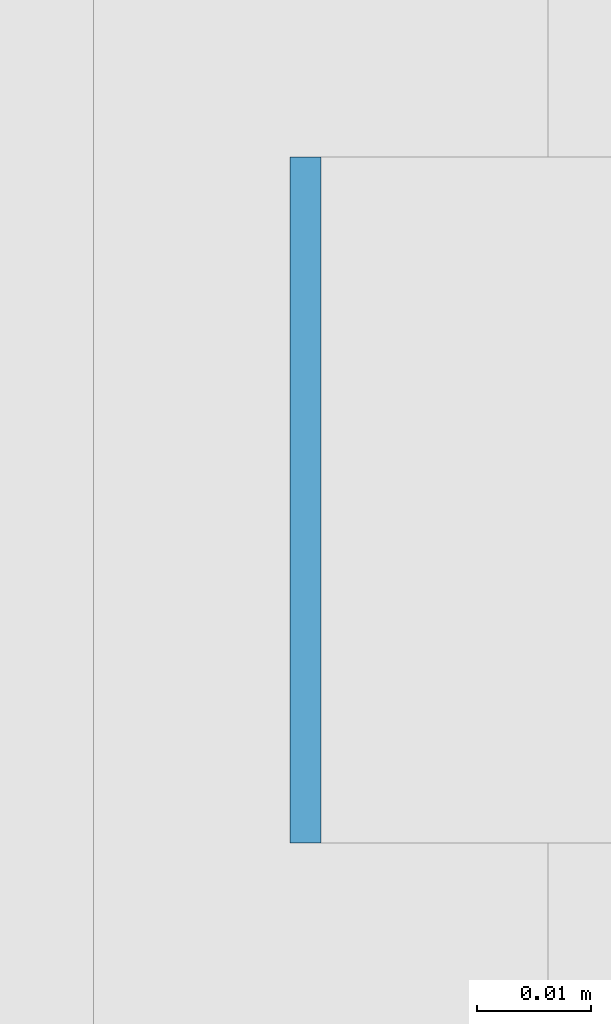
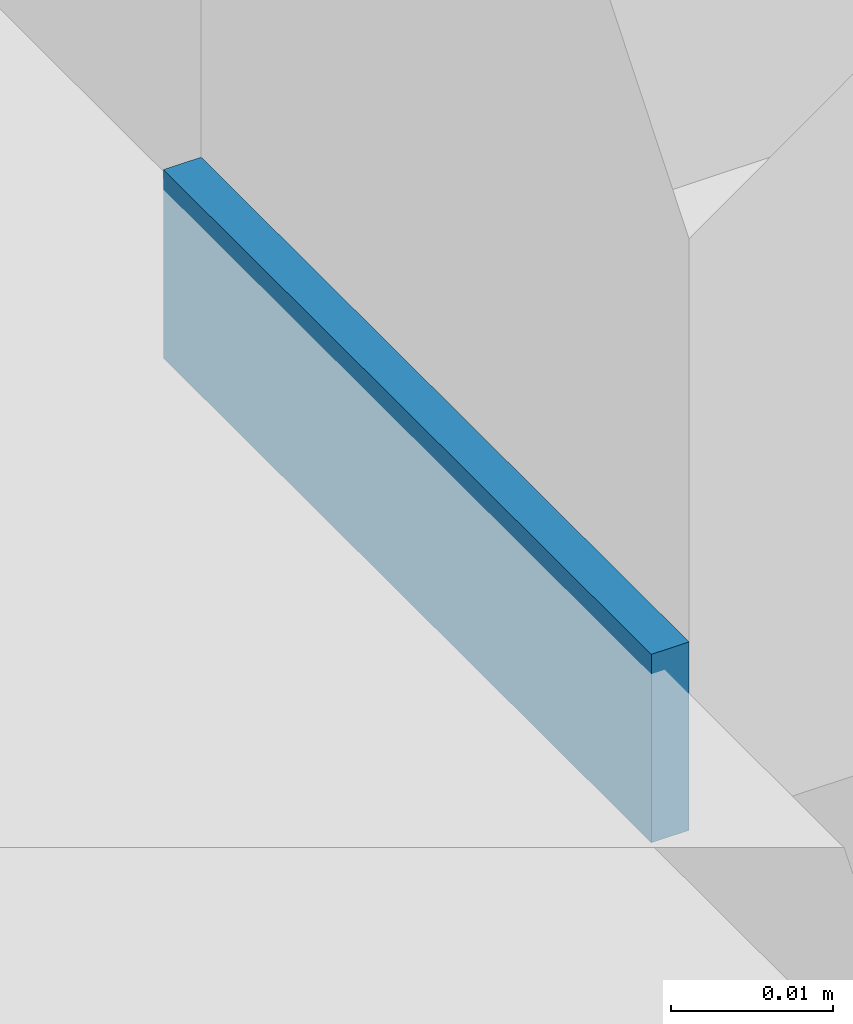
# One storey, part 570 of 646: 1 discrete accessory.
"""IFC4 building model written with IfcOpenShell, lengths in metres."""

from ifc_helpers import new_model, si_unit, direction, frame, origin, origin_2d, place, context, subcontext, project, spatial, rectangle, extrude, material, type_object, element, save


model = new_model("IFC4")

# Units and contexts
model_context = context("Model", 3, precision=1e-05, world=origin(), true_north=direction((0.0, 1.0)))
body_context = subcontext(model_context, "Body", "Model", "MODEL_VIEW")
ifc_project = project(units=[si_unit("LENGTHUNIT", "METRE"), si_unit("AREAUNIT", "SQUARE_METRE"), si_unit("VOLUMEUNIT", "CUBIC_METRE"), si_unit("PLANEANGLEUNIT", "RADIAN"), si_unit("MASSUNIT", "GRAM", prefix="KILO")], contexts=[model_context])

# Site, building, storey
site_placement = place(None, origin())
site = spatial("IfcSite", under=ifc_project, at=site_placement, CompositionType="ELEMENT")
building_placement = place(site_placement, origin())
building = spatial("IfcBuilding", under=site, at=building_placement, Name="Silverbay Arena", CompositionType="ELEMENT")
storey_placement = place(building_placement, frame((0.0, 0.0, 33.5)))
storey = spatial("IfcBuildingStorey", under=building, at=storey_placement, Name="L05", CompositionType="ELEMENT", Elevation=33.5)

# Discrete accessory
ifc_material = material(Name="Steel S355", Category="steel")
discrete_accessory_type = type_object("IfcDiscreteAccessoryType", Name="Steel bracket plate", PredefinedType="BRACKET", material=ifc_material)
discrete_accessory_placement = place(storey_placement, frame((207.128662109375, 106.71435546875, 4.0), z_axis=(0.0, 0.0, 1.0), x_axis=(1.0, 0.0, 0.0)))
element("IfcDiscreteAccessory", 1, at=discrete_accessory_placement, inside=storey, type_object=discrete_accessory_type, Name="Curtain wall packing plate", PredefinedType="BRACKET", context=body_context, shape_type="SweptSolid", body=[
    extrude(rectangle(XDim=0.002685546875, YDim=0.06005859375, at=origin_2d()), origin(), (0.0, 0.0, 1.0), 0.01416015625),
])

save(model, "model.ifc")
